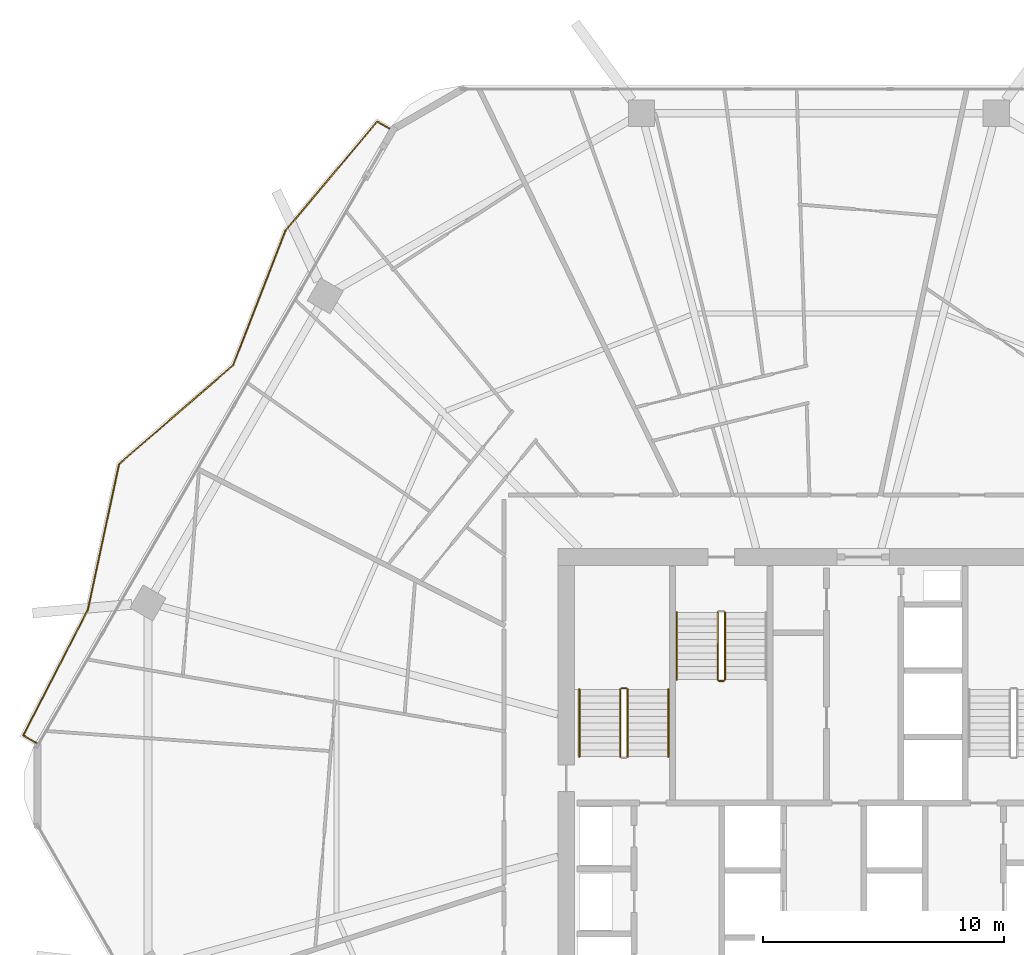
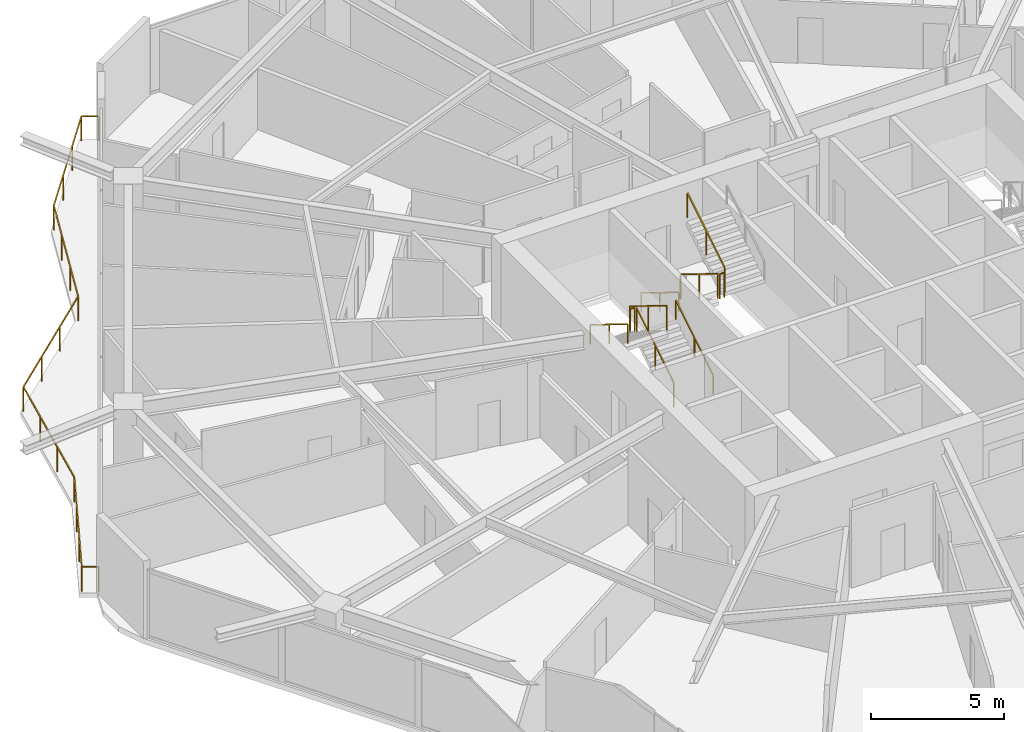
# One storey, part 31 of 32: 10 railings.
"""IFC4 building model written with IfcOpenShell, lengths in metres."""

from ifc_helpers import new_model, si_unit, direction, frame, origin, origin_2d, place, context, subcontext, project, spatial, rectangle, extrude, material, type_object, element, save


model = new_model("IFC4")

# Units and contexts
model_context = context("Model", 3, precision=1e-05, world=origin(), true_north=direction((0.0, 1.0)))
body_context = subcontext(model_context, "Body", "Model", "MODEL_VIEW")
ifc_project = project(units=[si_unit("LENGTHUNIT", "METRE"), si_unit("AREAUNIT", "SQUARE_METRE"), si_unit("VOLUMEUNIT", "CUBIC_METRE"), si_unit("PLANEANGLEUNIT", "RADIAN"), si_unit("MASSUNIT", "GRAM", prefix="KILO")], contexts=[model_context])

# Site, building, storey
site_placement = place(None, origin())
site = spatial("IfcSite", under=ifc_project, at=site_placement, CompositionType="ELEMENT")
building_placement = place(site_placement, origin())
building = spatial("IfcBuilding", under=site, at=building_placement, Name="Zuhravey Tower", CompositionType="ELEMENT")
storey_placement = place(building_placement, frame((0.0, 0.0, 119.0)))
storey = spatial("IfcBuildingStorey", under=building, at=storey_placement, Name="L29", CompositionType="ELEMENT", Elevation=119.0)

# Railings
ifc_material_1 = material(Name="Stainless steel 316 and laminated glass", Category="steel")
railing_type_1 = type_object("IfcRailingType", Name="Balcony & Terrace Guardrail 1150", PredefinedType="BALUSTRADE", material=ifc_material_1)
railing_1_placement = place(storey_placement, frame((3.4833984375, 33.7666015625, 0.0)))
element("IfcRailing", 1, at=railing_1_placement, inside=storey, type_object=railing_type_1, Name="L29 Face 3 Wave Balcony Guardrail GR1", PredefinedType="BALUSTRADE", context=body_context, shape_type="SweptSolid", body=[
    extrude(rectangle(XDim=0.048095703125, YDim=0.048095703125, at=origin_2d()), frame((-0.001708984375, 0.0009765625, 1.1259765625), z_axis=(-0.865996321171, 0.50005036918, 0.0), x_axis=(-0.50005036918, -0.865996321171, 0.0)), (0.0, 0.0, 1.0), 0.640380859375),
    extrude(rectangle(XDim=0.048095703125, YDim=0.048095703125, at=origin_2d()), frame((-0.55712890625, 0.323974609375, 1.1259765625), z_axis=(0.458567516695, 0.88865957072, 0.0), x_axis=(-0.88865957072, 0.458567516695, 0.0)), (0.0, 0.0, 1.0), 5.851806640625),
    extrude(rectangle(XDim=0.048095703125, YDim=0.048095703125, at=origin_2d()), frame((2.127685546875, 5.528076171875, 1.1259765625), z_axis=(0.209593491884, 0.977788611183, 0.0), x_axis=(-0.977788611183, 0.209593491884, 0.0)), (0.0, 0.0, 1.0), 6.209228515625),
    extrude(rectangle(XDim=0.048095703125, YDim=0.048095703125, at=origin_2d()), frame((3.430908203125, 11.6025390625, 1.1259765625), z_axis=(0.755889527661, 0.654699184338, 0.0), x_axis=(-0.654699184338, 0.755889527661, 0.0)), (0.0, 0.0, 1.0), 6.26416015625),
    extrude(rectangle(XDim=0.048095703125, YDim=0.048095703125, at=origin_2d()), frame((8.168212890625, 15.70703125, 1.1259765625), z_axis=(0.362899129355, 0.93182842944, 0.0), x_axis=(-0.93182842944, 0.362899129355, 0.0)), (0.0, 0.0, 1.0), 6.005126953125),
    extrude(rectangle(XDim=0.048095703125, YDim=0.048095703125, at=origin_2d()), frame((10.349365234375, 21.305908203125, 1.1259765625), z_axis=(0.64353902716, 0.76541330046, 0.0), x_axis=(-0.76541330046, 0.64353902716, 0.0)), (0.0, 0.0, 1.0), 5.91943359375),
    extrude(rectangle(XDim=0.048095703125, YDim=0.048095703125, at=origin_2d()), frame((14.161865234375, 25.83740234375, 1.1259765625), z_axis=(0.866036909293, -0.499980071345, 0.0), x_axis=(0.499980071345, 0.866036909293, 0.0)), (0.0, 0.0, 1.0), 0.65234375),
    extrude(rectangle(XDim=0.0419921875, YDim=0.0419921875, at=origin_2d()), origin(), (0.0, 0.0, 1.0), 1.099853515625),
    extrude(rectangle(XDim=0.0419921875, YDim=0.0419921875, at=origin_2d()), frame((-0.55810546875, 0.322265625, 0.0)), (0.0, 0.0, 1.0), 1.099853515625),
    extrude(rectangle(XDim=0.0419921875, YDim=0.0419921875, at=origin_2d()), frame((0.3369140625, 2.056884765625, 0.0)), (0.0, 0.0, 1.0), 1.099853515625),
    extrude(rectangle(XDim=0.0419921875, YDim=0.0419921875, at=origin_2d()), frame((1.232177734375, 3.79150390625, 0.0)), (0.0, 0.0, 1.0), 1.099853515625),
    extrude(rectangle(XDim=0.0419921875, YDim=0.0419921875, at=origin_2d()), frame((2.127197265625, 5.526123046875, 0.0)), (0.0, 0.0, 1.0), 1.099853515625),
    extrude(rectangle(XDim=0.0419921875, YDim=0.0419921875, at=origin_2d()), frame((2.561279296875, 7.55126953125, 0.0)), (0.0, 0.0, 1.0), 1.099853515625),
    extrude(rectangle(XDim=0.0419921875, YDim=0.0419921875, at=origin_2d()), frame((2.995361328125, 9.576171875, 0.0)), (0.0, 0.0, 1.0), 1.099853515625),
    extrude(rectangle(XDim=0.0419921875, YDim=0.0419921875, at=origin_2d()), frame((3.429443359375, 11.601318359375, 0.0)), (0.0, 0.0, 1.0), 1.099853515625),
    extrude(rectangle(XDim=0.0419921875, YDim=0.0419921875, at=origin_2d()), frame((5.0087890625, 12.96923828125, 0.0)), (0.0, 0.0, 1.0), 1.099853515625),
    extrude(rectangle(XDim=0.0419921875, YDim=0.0419921875, at=origin_2d()), frame((6.588134765625, 14.337158203125, 0.0)), (0.0, 0.0, 1.0), 1.099853515625),
    extrude(rectangle(XDim=0.0419921875, YDim=0.0419921875, at=origin_2d()), frame((8.16748046875, 15.705078125, 0.0)), (0.0, 0.0, 1.0), 1.099853515625),
    extrude(rectangle(XDim=0.0419921875, YDim=0.0419921875, at=origin_2d()), frame((8.894287109375, 17.571533203125, 0.0)), (0.0, 0.0, 1.0), 1.099853515625),
    extrude(rectangle(XDim=0.0419921875, YDim=0.0419921875, at=origin_2d()), frame((9.621337890625, 19.43798828125, 0.0)), (0.0, 0.0, 1.0), 1.099853515625),
    extrude(rectangle(XDim=0.0419921875, YDim=0.0419921875, at=origin_2d()), frame((10.34814453125, 21.304443359375, 0.0)), (0.0, 0.0, 1.0), 1.099853515625),
    extrude(rectangle(XDim=0.0419921875, YDim=0.0419921875, at=origin_2d()), frame((11.618896484375, 22.815673828125, 0.0)), (0.0, 0.0, 1.0), 1.099853515625),
    extrude(rectangle(XDim=0.0419921875, YDim=0.0419921875, at=origin_2d()), frame((12.889404296875, 24.3271484375, 0.0)), (0.0, 0.0, 1.0), 1.099853515625),
    extrude(rectangle(XDim=0.0419921875, YDim=0.0419921875, at=origin_2d()), frame((14.16015625, 25.83837890625, 0.0)), (0.0, 0.0, 1.0), 1.099853515625),
    extrude(rectangle(XDim=0.0419921875, YDim=0.0419921875, at=origin_2d()), frame((14.728515625, 25.51025390625, 0.0)), (0.0, 0.0, 1.0), 1.099853515625),
])
ifc_material_2 = material(Name="Brushed stainless steel", Category="steel")
railing_type_2 = type_object("IfcRailingType", Name="Stair Wall Handrail 900", PredefinedType="HANDRAIL", material=ifc_material_2)
railing_2_placement = place(storey_placement, frame((29.75, 33.199951171875, 0.172607421875)))
element("IfcRailing", 2, at=railing_2_placement, inside=storey, type_object=railing_type_2, Name="L29 ST1 stair handrail 1", PredefinedType="HANDRAIL", context=body_context, shape_type="SweptSolid", body=[
    extrude(rectangle(XDim=0.048095703125, YDim=0.048095703125, at=origin_2d()), frame((0.0, 0.001708984375, 0.876953125), z_axis=(0.0, 0.851089632645, 0.525020415988), x_axis=(-1.0, 0.0, 0.0)), (0.0, 0.0, 1.0), 3.285888671875),
    extrude(rectangle(XDim=0.0419921875, YDim=0.0419921875, at=origin_2d()), origin(), (0.0, 0.0, 1.0), 0.849853515625),
    extrude(rectangle(XDim=0.0419921875, YDim=0.0419921875, at=origin_2d()), frame((0.0, 1.39990234375, 0.86376953125)), (0.0, 0.0, 1.0), 0.849853515625),
    extrude(rectangle(XDim=0.0419921875, YDim=0.0419921875, at=origin_2d()), frame((0.0, 2.800048828125, 1.727294921875)), (0.0, 0.0, 1.0), 0.849853515625),
])
for number, where, name in (
    (3, (26.050048828125, 36.0, 2.07275390625), "L29 ST1 stair handrail 2"),
    (4, (30.10009765625, 39.199951171875, 0.172607421875), "L29 ST3 stair handrail 1"),
):
    element("IfcRailing", number, at=place(storey_placement, frame(where)), inside=storey, type_object=railing_type_2, Name=name, PredefinedType="HANDRAIL", context=body_context, shape_type="SweptSolid", body=[
        extrude(rectangle(XDim=0.048095703125, YDim=0.048095703125, at=origin_2d()), frame((0.0, -0.001708984375, 0.876953125), z_axis=(0.0, -0.851089632645, 0.525020415988), x_axis=(1.0, 0.0, 0.0)), (0.0, 0.0, 1.0), 3.285888671875),
        extrude(rectangle(XDim=0.0419921875, YDim=0.0419921875, at=origin_2d()), origin(), (0.0, 0.0, 1.0), 0.849853515625),
        extrude(rectangle(XDim=0.0419921875, YDim=0.0419921875, at=origin_2d()), frame((0.0, -1.39990234375, 0.86376953125)), (0.0, 0.0, 1.0), 0.849853515625),
        extrude(rectangle(XDim=0.0419921875, YDim=0.0419921875, at=origin_2d()), frame((0.0, -2.800048828125, 1.727294921875)), (0.0, 0.0, 1.0), 0.849853515625),
    ])
ifc_material_3 = material(Name="Painted tubular steel", Category="steel")
railing_type_3 = type_object("IfcRailingType", Name="Stair Well Guardrail 1150", PredefinedType="GUARDRAIL", material=ifc_material_3)
railing_3_placement = place(storey_placement, frame((28.050048828125, 33.199951171875, 0.172607421875)))
element("IfcRailing", 5, at=railing_3_placement, inside=storey, type_object=railing_type_3, Name="L29 ST1 stair guard 1", PredefinedType="GUARDRAIL", context=body_context, shape_type="SweptSolid", body=[
    extrude(rectangle(XDim=0.048095703125, YDim=0.048095703125, at=origin_2d()), frame((0.0, 0.001708984375, 1.126953125), z_axis=(0.0, 0.851089632645, 0.525020415988), x_axis=(-1.0, 0.0, 0.0)), (0.0, 0.0, 1.0), 3.285888671875),
    extrude(rectangle(XDim=0.0419921875, YDim=0.0419921875, at=origin_2d()), origin(), (0.0, 0.0, 1.0), 1.099853515625),
    extrude(rectangle(XDim=0.0419921875, YDim=0.0419921875, at=origin_2d()), frame((0.0, 1.39990234375, 0.86376953125)), (0.0, 0.0, 1.0), 1.099853515625),
    extrude(rectangle(XDim=0.0419921875, YDim=0.0419921875, at=origin_2d()), frame((0.0, 2.800048828125, 1.727294921875)), (0.0, 0.0, 1.0), 1.099853515625),
])
railing_4_placement = place(storey_placement, frame((28.0, 36.050048828125, 1.89990234375)))
element("IfcRailing", 6, at=railing_4_placement, inside=storey, type_object=railing_type_3, Name="L29 ST1 stair guard 2", PredefinedType="GUARDRAIL", context=body_context, shape_type="SweptSolid", body=[
    extrude(rectangle(XDim=0.048095703125, YDim=0.048095703125, at=origin_2d()), frame((-0.001953125, 0.0, 1.1259765625), z_axis=(-1.0, 0.0, 0.0), x_axis=(0.0, -1.0, 0.0)), (0.0, 0.0, 1.0), 0.196044921875),
    extrude(rectangle(XDim=0.0419921875, YDim=0.0419921875, at=origin_2d()), origin(), (0.0, 0.0, 1.0), 1.099853515625),
    extrude(rectangle(XDim=0.0419921875, YDim=0.0419921875, at=origin_2d()), frame((-0.199951171875, 0.0, 0.0)), (0.0, 0.0, 1.0), 1.099853515625),
])
for number, where, name in (
    (7, (27.75, 36.0, 2.07275390625), "L29 ST1 stair guard 3"),
    (8, (31.800048828125, 39.199951171875, 0.172607421875), "L29 ST3 stair guard 1"),
):
    element("IfcRailing", number, at=place(storey_placement, frame(where)), inside=storey, type_object=railing_type_3, Name=name, PredefinedType="GUARDRAIL", context=body_context, shape_type="SweptSolid", body=[
        extrude(rectangle(XDim=0.048095703125, YDim=0.048095703125, at=origin_2d()), frame((0.0, -0.001708984375, 1.126953125), z_axis=(0.0, -0.851089632645, 0.525020415988), x_axis=(1.0, 0.0, 0.0)), (0.0, 0.0, 1.0), 3.285888671875),
        extrude(rectangle(XDim=0.0419921875, YDim=0.0419921875, at=origin_2d()), origin(), (0.0, 0.0, 1.0), 1.099853515625),
        extrude(rectangle(XDim=0.0419921875, YDim=0.0419921875, at=origin_2d()), frame((0.0, -1.39990234375, 0.86376953125)), (0.0, 0.0, 1.0), 1.099853515625),
        extrude(rectangle(XDim=0.0419921875, YDim=0.0419921875, at=origin_2d()), frame((0.0, -2.800048828125, 1.727294921875)), (0.0, 0.0, 1.0), 1.099853515625),
    ])
railing_5_placement = place(storey_placement, frame((31.85009765625, 36.35009765625, 1.89990234375)))
element("IfcRailing", 9, at=railing_5_placement, inside=storey, type_object=railing_type_3, Name="L29 ST3 stair guard 2", PredefinedType="GUARDRAIL", context=body_context, shape_type="SweptSolid", body=[
    extrude(rectangle(XDim=0.048095703125, YDim=0.048095703125, at=origin_2d()), frame((0.001953125, 0.0, 1.1259765625), z_axis=(1.0, 0.0, 0.0), x_axis=(0.0, 1.0, 0.0)), (0.0, 0.0, 1.0), 0.196044921875),
    extrude(rectangle(XDim=0.0419921875, YDim=0.0419921875, at=origin_2d()), origin(), (0.0, 0.0, 1.0), 1.099853515625),
    extrude(rectangle(XDim=0.0419921875, YDim=0.0419921875, at=origin_2d()), frame((0.199951171875, 0.0, 0.0)), (0.0, 0.0, 1.0), 1.099853515625),
])
railing_6_placement = place(storey_placement, frame((32.10009765625, 36.39990234375, 2.07275390625)))
element("IfcRailing", 10, at=railing_6_placement, inside=storey, type_object=railing_type_3, Name="L29 ST3 stair guard 3", PredefinedType="GUARDRAIL", context=body_context, shape_type="SweptSolid", body=[
    extrude(rectangle(XDim=0.048095703125, YDim=0.048095703125, at=origin_2d()), frame((0.0, 0.001708984375, 1.126953125), z_axis=(0.0, 0.851089632645, 0.525020415988), x_axis=(-1.0, 0.0, 0.0)), (0.0, 0.0, 1.0), 3.285888671875),
    extrude(rectangle(XDim=0.0419921875, YDim=0.0419921875, at=origin_2d()), origin(), (0.0, 0.0, 1.0), 1.099853515625),
    extrude(rectangle(XDim=0.0419921875, YDim=0.0419921875, at=origin_2d()), frame((0.0, 1.39990234375, 0.86376953125)), (0.0, 0.0, 1.0), 1.099853515625),
    extrude(rectangle(XDim=0.0419921875, YDim=0.0419921875, at=origin_2d()), frame((0.0, 2.800048828125, 1.727294921875)), (0.0, 0.0, 1.0), 1.099853515625),
])

save(model, "model.ifc")
